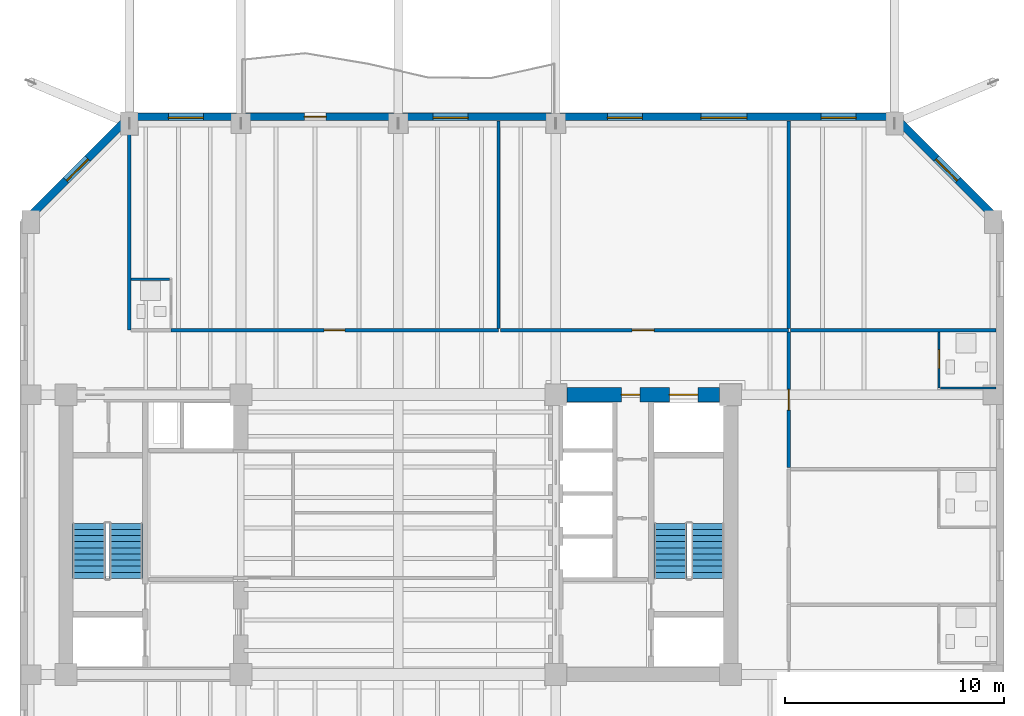
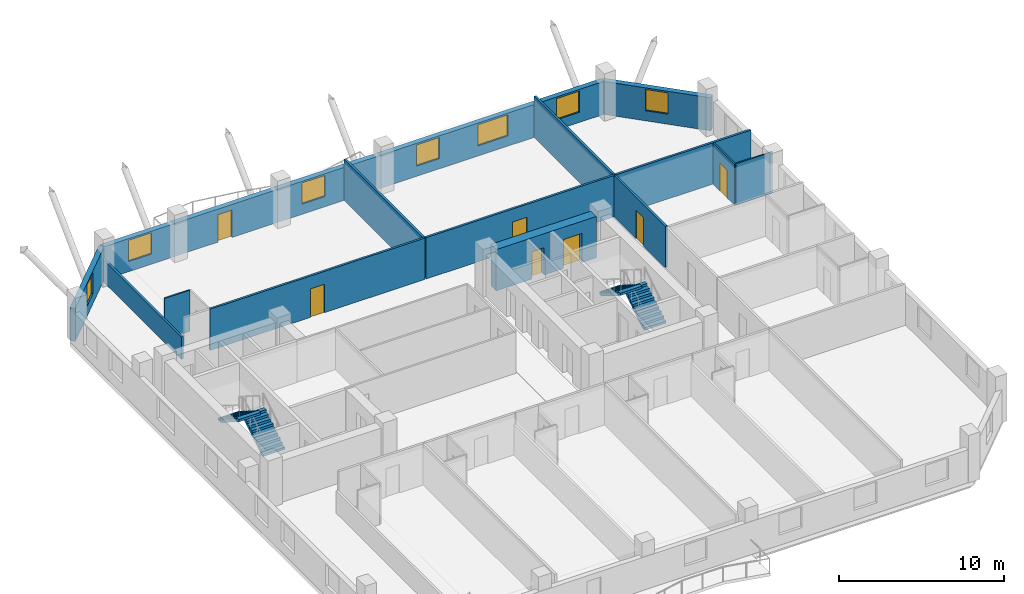
# One storey, part 8 of 12: 14 walls, 7 doors, 7 windows, 4 stair flights, 14 openings, 2 elements without a shape of their own.
"""IFC4 building model written with IfcOpenShell, lengths in metres."""

from ifc_helpers import new_model, si_unit, direction, frame, frame_2d, origin, place, context, subcontext, project, spatial, polyline, rectangle, outline, extrude, material, layer, layer_set, type_object, element, fill, aggregate, save


model = new_model("IFC4")

# Units and contexts
model_context = context("Model", 3, precision=1e-05, world=origin(), true_north=direction((0.0, 1.0)))
body_context = subcontext(model_context, "Body", "Model", "MODEL_VIEW")
ifc_project = project(units=[si_unit("LENGTHUNIT", "METRE"), si_unit("AREAUNIT", "SQUARE_METRE"), si_unit("VOLUMEUNIT", "CUBIC_METRE"), si_unit("PLANEANGLEUNIT", "RADIAN"), si_unit("MASSUNIT", "GRAM", prefix="KILO")], contexts=[model_context])

# Site, building, storey
site_placement = place(None, origin())
site = spatial("IfcSite", under=ifc_project, at=site_placement, CompositionType="ELEMENT")
building_placement = place(site_placement, origin())
building = spatial("IfcBuilding", under=site, at=building_placement, Name="Kranthara Brick Stack", CompositionType="ELEMENT")
storey_placement = place(building_placement, frame((0.0, 0.0, 158.800048828125)))
storey = spatial("IfcBuildingStorey", under=building, at=storey_placement, Name="L40", CompositionType="ELEMENT", Elevation=158.800048828125)

# Wall, opening, window
ifc_material_1 = material(Name="Kiln-fired clay brick masonry M15", Category="masonry")
ifc_layer_1 = layer(ifc_material_1, 0.35009765625)
ifc_layer_set_1 = layer_set([ifc_layer_1], Name="Kiln-fired clay brick masonry M15")
wall_type_1 = type_object("IfcWallType", Name="WL-BRK-SPND-350", PredefinedType="STANDARD", material=ifc_layer_set_1)
wall_1_placement = place(storey_placement, frame((10.89501953125, 41.5, 0.0), z_axis=(0.0, 0.0, 1.0), x_axis=(0.707106781187, 0.707106781187, 0.0)))
wall_1 = element("IfcWall", 1, at=wall_1_placement, inside=storey, type_object=wall_type_1, Name="L40 Exterior Brick Facade Wall NW 1", PredefinedType="STANDARD", context=body_context, shape_type="SweptSolid", body=[
    extrude(rectangle(XDim=6.795166015625, YDim=0.35009765625, at=frame_2d((3.3974609375, 0.0))), origin(), (0.0, 0.0, 1.0), 2.43505859375),
])
opening_1_placement = place(wall_1_placement, frame((2.697998046875, 0.0, 0.75)))
opening_1 = element("IfcOpeningElement", 2, at=opening_1_placement, cuts=wall_1, Name="Opening WN10", PredefinedType="OPENING", context=body_context, shape_type="SweptSolid", body=[
    extrude(rectangle(XDim=1.39990234375, YDim=1.56494140625, at=frame_2d((0.699951171875, 0.782470703125))), frame((0.0, 0.18505859375, 0.0), z_axis=(0.0, -1.0, 0.0), x_axis=(1.0, 0.0, 0.0)), (0.0, 0.0, 1.0), 0.3701171875),
])
ifc_material_2 = material(Name="Double-glazed low-E solar control glass", Category="glass")
window_type_1 = type_object("IfcWindowType", Name="WN-CHM-1400x1750", PartitioningType="SINGLE_PANEL", PredefinedType="WINDOW", material=ifc_material_2)
window_1_placement = place(opening_1_placement, origin())
window_1 = element("IfcWindow", 3, at=window_1_placement, inside=storey, type_object=window_type_1, Name="L40 NW Chamfer Corner Window", OverallHeight=1.56494140625, OverallWidth=1.39990234375, PartitioningType="SINGLE_PANEL", PredefinedType="WINDOW", context=body_context, shape_type="SweptSolid", body=[
    extrude(rectangle(XDim=1.39990234375, YDim=1.56494140625, at=frame_2d((0.699951171875, 0.782470703125))), frame((0.0, -0.010009765625, 0.0), z_axis=(0.0, -1.0, 0.0), x_axis=(1.0, 0.0, 0.0)), (0.0, 0.0, 1.0), 0.06005859375),
])
fill(opening_1, window_1)

# Wall, openings, door, windows
wall_2_placement = place(storey_placement, frame((15.699951171875, 46.304931640625, 0.0), z_axis=(0.0, 0.0, 1.0), x_axis=(1.0, 0.0, 0.0)))
wall_2 = element("IfcWall", 4, at=wall_2_placement, inside=storey, type_object=wall_type_1, Name="L40 Exterior Brick Facade Wall NORTH 1", PredefinedType="STANDARD", context=body_context, shape_type="SweptSolid", body=[
    extrude(rectangle(XDim=35.0, YDim=0.35009765625, at=frame_2d((17.5, 0.0))), origin(), (0.0, 0.0, 1.0), 2.43505859375),
])
opening_2_placement = place(wall_2_placement, frame((8.0, 0.0, 0.0)))
opening_2 = element("IfcOpeningElement", 5, at=opening_2_placement, cuts=wall_2, Name="Opening D03", PredefinedType="OPENING", context=body_context, shape_type="SweptSolid", body=[
    extrude(rectangle(XDim=1.0, YDim=2.02001953125, at=frame_2d((0.5, 1.010009765625))), frame((0.0, 0.18505859375, 0.0), z_axis=(0.0, -1.0, 0.0), x_axis=(1.0, 0.0, 0.0)), (0.0, 0.0, 1.0), 0.3701171875),
])
opening_3_placement = place(wall_2_placement, frame((1.7880859375, 0.0, 0.75)))
opening_3 = element("IfcOpeningElement", 6, at=opening_3_placement, cuts=wall_2, Name="Opening WN04", PredefinedType="OPENING", context=body_context, shape_type="SweptSolid", body=[
    extrude(rectangle(XDim=1.60009765625, YDim=1.56494140625, at=frame_2d((0.800048828125, 0.782470703125))), frame((0.0, 0.18505859375, 0.0), z_axis=(0.0, -1.0, 0.0), x_axis=(1.0, 0.0, 0.0)), (0.0, 0.0, 1.0), 0.3701171875),
])
opening_4_placement = place(wall_2_placement, frame((13.89208984375, 0.0, 0.75)))
opening_4 = element("IfcOpeningElement", 7, at=opening_4_placement, cuts=wall_2, Name="Opening WN04", PredefinedType="OPENING", context=body_context, shape_type="SweptSolid", body=[
    extrude(rectangle(XDim=1.60009765625, YDim=1.56494140625, at=frame_2d((0.800048828125, 0.782470703125))), frame((0.0, 0.18505859375, 0.0), z_axis=(0.0, -1.0, 0.0), x_axis=(1.0, 0.0, 0.0)), (0.0, 0.0, 1.0), 0.3701171875),
])
opening_5_placement = place(wall_2_placement, frame((21.85693359375, 0.0, 0.75)))
opening_5 = element("IfcOpeningElement", 8, at=opening_5_placement, cuts=wall_2, Name="Opening WN04", PredefinedType="OPENING", context=body_context, shape_type="SweptSolid", body=[
    extrude(rectangle(XDim=1.60009765625, YDim=1.56494140625, at=frame_2d((0.800048828125, 0.782470703125))), frame((0.0, 0.18505859375, 0.0), z_axis=(0.0, -1.0, 0.0), x_axis=(1.0, 0.0, 0.0)), (0.0, 0.0, 1.0), 0.3701171875),
])
opening_6_placement = place(wall_2_placement, frame((26.14306640625, 0.0, 0.75)))
opening_6 = element("IfcOpeningElement", 9, at=opening_6_placement, cuts=wall_2, Name="Opening WN05", PredefinedType="OPENING", context=body_context, shape_type="SweptSolid", body=[
    extrude(rectangle(XDim=2.10009765625, YDim=1.56494140625, at=frame_2d((1.050048828125, 0.782470703125))), frame((0.0, 0.18505859375, 0.0), z_axis=(0.0, -1.0, 0.0), x_axis=(1.0, 0.0, 0.0)), (0.0, 0.0, 1.0), 0.3701171875),
])
opening_7_placement = place(wall_2_placement, frame((31.636962890625, 0.0, 0.75)))
opening_7 = element("IfcOpeningElement", 10, at=opening_7_placement, cuts=wall_2, Name="Opening WN04", PredefinedType="OPENING", context=body_context, shape_type="SweptSolid", body=[
    extrude(rectangle(XDim=1.60009765625, YDim=1.56494140625, at=frame_2d((0.800048828125, 0.782470703125))), frame((0.0, 0.18505859375, 0.0), z_axis=(0.0, -1.0, 0.0), x_axis=(1.0, 0.0, 0.0)), (0.0, 0.0, 1.0), 0.3701171875),
])
ifc_material_3 = material(Name="Bronze anodised aluminium and laminated glass", Category="aluminium")
door_type_1 = type_object("IfcDoorType", Name="DR-BALC-1000", OperationType="NOTDEFINED", PredefinedType="DOOR", material=ifc_material_3)
door_1_placement = place(opening_2_placement, origin())
door_1 = element("IfcDoor", 11, at=door_1_placement, inside=storey, type_object=door_type_1, Name="L40 North Balcony Terrace Door", OperationType="SINGLE_SWING_RIGHT", OverallHeight=2.02001953125, OverallWidth=1.0, PredefinedType="DOOR", context=body_context, shape_type="SweptSolid", body=[
    extrude(rectangle(XDim=1.0, YDim=2.02001953125, at=frame_2d((0.5, 1.010009765625))), frame((0.0, 0.02490234375, 0.0), z_axis=(0.0, -1.0, 0.0), x_axis=(1.0, 0.0, 0.0)), (0.0, 0.0, 1.0), 0.050048828125),
])
fill(opening_2, door_1)
ifc_material_4 = material(Name="Double-glazed low-E solar control glass", Category="glass")
window_type_2 = type_object("IfcWindowType", Name="WN-HTL-1600x1850", PartitioningType="DOUBLE_PANEL_VERTICAL", PredefinedType="WINDOW", material=ifc_material_4)
window_2_placement = place(opening_3_placement, origin())
window_2 = element("IfcWindow", 12, at=window_2_placement, inside=storey, type_object=window_type_2, Name="L40 North Deep-Set Brick Window 01", OverallHeight=1.56494140625, OverallWidth=1.60009765625, PartitioningType="SINGLE_PANEL", PredefinedType="WINDOW", context=body_context, shape_type="SweptSolid", body=[
    extrude(rectangle(XDim=1.60009765625, YDim=1.56494140625, at=frame_2d((0.800048828125, 0.782470703125))), frame((0.0, -0.010009765625, 0.0), z_axis=(0.0, -1.0, 0.0), x_axis=(1.0, 0.0, 0.0)), (0.0, 0.0, 1.0), 0.06005859375),
])
fill(opening_3, window_2)
window_3_placement = place(opening_4_placement, origin())
window_3 = element("IfcWindow", 13, at=window_3_placement, inside=storey, type_object=window_type_2, Name="L40 North Deep-Set Brick Window 02", OverallHeight=1.56494140625, OverallWidth=1.60009765625, PartitioningType="SINGLE_PANEL", PredefinedType="WINDOW", context=body_context, shape_type="SweptSolid", body=[
    extrude(rectangle(XDim=1.60009765625, YDim=1.56494140625, at=frame_2d((0.800048828125, 0.782470703125))), frame((0.0, -0.010009765625, 0.0), z_axis=(0.0, -1.0, 0.0), x_axis=(1.0, 0.0, 0.0)), (0.0, 0.0, 1.0), 0.06005859375),
])
fill(opening_4, window_3)
window_4_placement = place(opening_5_placement, origin())
window_4 = element("IfcWindow", 14, at=window_4_placement, inside=storey, type_object=window_type_2, Name="L40 North Deep-Set Brick Window 03", OverallHeight=1.56494140625, OverallWidth=1.60009765625, PartitioningType="SINGLE_PANEL", PredefinedType="WINDOW", context=body_context, shape_type="SweptSolid", body=[
    extrude(rectangle(XDim=1.60009765625, YDim=1.56494140625, at=frame_2d((0.800048828125, 0.782470703125))), frame((0.0, -0.010009765625, 0.0), z_axis=(0.0, -1.0, 0.0), x_axis=(1.0, 0.0, 0.0)), (0.0, 0.0, 1.0), 0.06005859375),
])
fill(opening_5, window_4)
window_5_placement = place(opening_7_placement, origin())
window_5 = element("IfcWindow", 15, at=window_5_placement, inside=storey, type_object=window_type_2, Name="L40 North Deep-Set Brick Window 05", OverallHeight=1.56494140625, OverallWidth=1.60009765625, PartitioningType="SINGLE_PANEL", PredefinedType="WINDOW", context=body_context, shape_type="SweptSolid", body=[
    extrude(rectangle(XDim=1.60009765625, YDim=1.56494140625, at=frame_2d((0.800048828125, 0.782470703125))), frame((0.0, -0.010009765625, 0.0), z_axis=(0.0, -1.0, 0.0), x_axis=(1.0, 0.0, 0.0)), (0.0, 0.0, 1.0), 0.06005859375),
])
fill(opening_7, window_5)
ifc_material_5 = material(Name="Double-glazed low-E solar control glass", Category="glass")
window_type_3 = type_object("IfcWindowType", Name="WN-HTL-2100x1850", PartitioningType="DOUBLE_PANEL_VERTICAL", PredefinedType="WINDOW", material=ifc_material_5)
window_6_placement = place(opening_6_placement, origin())
window_6 = element("IfcWindow", 16, at=window_6_placement, inside=storey, type_object=window_type_3, Name="L40 North Deep-Set Brick Window 04", OverallHeight=1.56494140625, OverallWidth=2.10009765625, PartitioningType="SINGLE_PANEL", PredefinedType="WINDOW", context=body_context, shape_type="SweptSolid", body=[
    extrude(rectangle(XDim=2.10009765625, YDim=1.56494140625, at=frame_2d((1.050048828125, 0.782470703125))), frame((0.0, -0.010009765625, 0.0), z_axis=(0.0, -1.0, 0.0), x_axis=(1.0, 0.0, 0.0)), (0.0, 0.0, 1.0), 0.06005859375),
])
fill(opening_6, window_6)

# Wall, opening, window
wall_3_placement = place(storey_placement, frame((50.699951171875, 46.304931640625, 0.0), z_axis=(0.0, 0.0, 1.0), x_axis=(0.707106781187, -0.707106781187, 0.0)))
wall_3 = element("IfcWall", 17, at=wall_3_placement, inside=storey, type_object=wall_type_1, Name="L40 Exterior Brick Facade Wall NE 1", PredefinedType="STANDARD", context=body_context, shape_type="SweptSolid", body=[
    extrude(rectangle(XDim=6.795166015625, YDim=0.35009765625, at=frame_2d((3.3974609375, 0.0))), origin(), (0.0, 0.0, 1.0), 2.43505859375),
])
opening_8_placement = place(wall_3_placement, frame((2.697998046875, 0.0, 0.75)))
opening_8 = element("IfcOpeningElement", 18, at=opening_8_placement, cuts=wall_3, Name="Opening WN10", PredefinedType="OPENING", context=body_context, shape_type="SweptSolid", body=[
    extrude(rectangle(XDim=1.39990234375, YDim=1.56494140625, at=frame_2d((0.699951171875, 0.782470703125))), frame((0.0, 0.18505859375, 0.0), z_axis=(0.0, -1.0, 0.0), x_axis=(1.0, 0.0, 0.0)), (0.0, 0.0, 1.0), 0.3701171875),
])
window_7_placement = place(opening_8_placement, origin())
window_7 = element("IfcWindow", 19, at=window_7_placement, inside=storey, type_object=window_type_1, Name="L40 NE Chamfer Corner Window", OverallHeight=1.56494140625, OverallWidth=1.39990234375, PartitioningType="SINGLE_PANEL", PredefinedType="WINDOW", context=body_context, shape_type="SweptSolid", body=[
    extrude(rectangle(XDim=1.39990234375, YDim=1.56494140625, at=frame_2d((0.699951171875, 0.782470703125))), frame((0.0, -0.010009765625, 0.0), z_axis=(0.0, -1.0, 0.0), x_axis=(1.0, 0.0, 0.0)), (0.0, 0.0, 1.0), 0.06005859375),
])
fill(opening_8, window_7)

# Wall, openings, doors
ifc_material_6 = material(Name="Concrete C60/75", Category="concrete")
ifc_layer_2 = layer(ifc_material_6, 0.64990234375)
ifc_layer_set_2 = layer_set([ifc_layer_2], Name="Concrete C60/75")
wall_type_2 = type_object("IfcWallType", Name="WL-CORE-650", PredefinedType="SHEAR", material=ifc_layer_set_2)
wall_4_placement = place(storey_placement, frame((35.705078125, 33.60009765625, 0.0), z_axis=(0.0, 0.0, 1.0), x_axis=(1.0, 0.0, 0.0)))
wall_4 = element("IfcWall", 20, at=wall_4_placement, inside=storey, type_object=wall_type_2, Name="L40 East Core Shear Wall North", PredefinedType="SHEAR", context=body_context, shape_type="SweptSolid", body=[
    extrude(rectangle(XDim=6.989990234375, YDim=0.64990234375, at=frame_2d((3.4951171875, 0.0))), origin(), (0.0, 0.0, 1.0), 3.050048828125),
])
opening_9_placement = place(wall_4_placement, frame((4.695068359375, 0.0, 0.0)))
opening_9 = element("IfcOpeningElement", 21, at=opening_9_placement, cuts=wall_4, Name="Opening LD03", PredefinedType="OPENING", context=body_context, shape_type="SweptSolid", body=[
    extrude(rectangle(XDim=1.300048828125, YDim=2.14990234375, at=frame_2d((0.64990234375, 1.074951171875))), frame((0.0, 0.3349609375, 0.0), z_axis=(0.0, -1.0, 0.0), x_axis=(1.0, 0.0, 0.0)), (0.0, 0.0, 1.0), 0.669921875),
])
opening_10_placement = place(wall_4_placement, frame((2.4951171875, 0.0, 0.0)))
opening_10 = element("IfcOpeningElement", 22, at=opening_10_placement, cuts=wall_4, Name="Opening D10", PredefinedType="OPENING", context=body_context, shape_type="SweptSolid", body=[
    extrude(rectangle(XDim=0.85009765625, YDim=2.02001953125, at=frame_2d((0.425048828125, 1.010009765625))), frame((0.0, 0.3349609375, 0.0), z_axis=(0.0, -1.0, 0.0), x_axis=(1.0, 0.0, 0.0)), (0.0, 0.0, 1.0), 0.669921875),
])
ifc_material_7 = material(Name="Stainless steel sliding landing door", Category="steel")
door_type_2 = type_object("IfcDoorType", Name="DR-LD-SV1300", OperationType="DOUBLE_DOOR_SLIDING", PredefinedType="DOOR", material=ifc_material_7)
door_2_placement = place(opening_9_placement, origin())
door_2 = element("IfcDoor", 23, at=door_2_placement, inside=storey, type_object=door_type_2, Name="L40 Stretcher Service Lift SV-01 Landing Door", OperationType="DOUBLE_DOOR_SLIDING", OverallHeight=2.14990234375, OverallWidth=1.300048828125, PredefinedType="DOOR", context=body_context, shape_type="SweptSolid", body=[
    extrude(rectangle(XDim=1.300048828125, YDim=2.14990234375, at=frame_2d((0.64990234375, 1.074951171875))), frame((0.0, 0.02490234375, 0.0), z_axis=(0.0, -1.0, 0.0), x_axis=(1.0, 0.0, 0.0)), (0.0, 0.0, 1.0), 0.050048828125),
])
fill(opening_9, door_2)
ifc_material_8 = material(Name="Solid-core hardwood timber leaf in steel frame", Category="steel")
door_type_3 = type_object("IfcDoorType", Name="DR-RSR-850", OperationType="NOTDEFINED", PredefinedType="DOOR", material=ifc_material_8)
door_3_placement = place(opening_10_placement, origin())
door_3 = element("IfcDoor", 24, at=door_3_placement, inside=storey, type_object=door_type_3, Name="L40 East Core Service Room Door", OperationType="SINGLE_SWING_LEFT", OverallHeight=2.02001953125, OverallWidth=0.85009765625, PredefinedType="DOOR", context=body_context, shape_type="SweptSolid", body=[
    extrude(rectangle(XDim=0.85009765625, YDim=2.02001953125, at=frame_2d((0.425048828125, 1.010009765625))), frame((0.0, 0.02490234375, 0.0), z_axis=(0.0, -1.0, 0.0), x_axis=(1.0, 0.0, 0.0)), (0.0, 0.0, 1.0), 0.050048828125),
])
fill(opening_10, door_3)

# Wall
ifc_material_9 = material(Name="Moisture-resistant wet-room partition", Category="other")
ifc_layer_3 = layer(ifc_material_9, 0.10009765625)
ifc_layer_set_3 = layer_set([ifc_layer_3], Name="Moisture-resistant wet-room partition")
wall_type_3 = type_object("IfcWallType", Name="WL-PART-100", PredefinedType="PARTITIONING", material=ifc_layer_set_3)
wall_5_placement = place(storey_placement, frame((15.780029296875, 38.8798828125, 0.0), z_axis=(0.0, 0.0, 1.0), x_axis=(1.0, 0.0, 0.0)))
element("IfcWall", 25, at=wall_5_placement, inside=storey, type_object=wall_type_3, Name="L40 Interior Partition 039", PredefinedType="PARTITIONING", context=body_context, shape_type="SweptSolid", body=[
    extrude(rectangle(XDim=1.764892578125, YDim=0.10009765625, at=frame_2d((0.88232421875, 0.0))), origin(), (0.0, 0.0, 1.0), 3.050048828125),
])

# Wall, opening, door
wall_6_placement = place(storey_placement, frame((52.72998046875, 33.89990234375, 0.0), z_axis=(0.0, 0.0, 1.0), x_axis=(0.0, 1.0, 0.0)))
wall_6 = element("IfcWall", 26, at=wall_6_placement, inside=storey, type_object=wall_type_3, Name="L40 Interior Partition 054", PredefinedType="PARTITIONING", context=body_context, shape_type="SweptSolid", body=[
    extrude(rectangle(XDim=2.570068359375, YDim=0.10009765625, at=frame_2d((1.28515625, 0.0))), origin(), (0.0, 0.0, 1.0), 3.050048828125),
])
opening_11_placement = place(wall_6_placement, frame((0.905029296875, 0.0, 0.0)))
opening_11 = element("IfcOpeningElement", 27, at=opening_11_placement, cuts=wall_6, Name="Opening D17", PredefinedType="OPENING", context=body_context, shape_type="SweptSolid", body=[
    extrude(rectangle(XDim=0.85009765625, YDim=2.050048828125, at=frame_2d((0.425048828125, 1.02490234375))), frame((0.0, 0.06005859375, 0.0), z_axis=(0.0, -1.0, 0.0), x_axis=(1.0, 0.0, 0.0)), (0.0, 0.0, 1.0), 0.1201171875),
])
ifc_material_10 = material(Name="Solid-core hardwood timber leaf in steel frame", Category="steel")
door_type_4 = type_object("IfcDoorType", Name="DR-WET-850", OperationType="NOTDEFINED", PredefinedType="DOOR", material=ifc_material_10)
door_4_placement = place(opening_11_placement, origin())
door_4 = element("IfcDoor", 28, at=door_4_placement, inside=storey, type_object=door_type_4, Name="L40 East Key 10 Bath 24", OperationType="SINGLE_SWING_RIGHT", OverallHeight=2.050048828125, OverallWidth=0.85009765625, PredefinedType="DOOR", context=body_context, shape_type="SweptSolid", body=[
    extrude(rectangle(XDim=0.85009765625, YDim=2.050048828125, at=frame_2d((0.425048828125, 1.02490234375))), frame((0.0, 0.02490234375, 0.0), z_axis=(0.0, -1.0, 0.0), x_axis=(1.0, 0.0, 0.0)), (0.0, 0.0, 1.0), 0.050048828125),
])
fill(opening_11, door_4)

# Walls
wall_7_placement = place(storey_placement, frame((52.784912109375, 33.89990234375, 0.0), z_axis=(0.0, 0.0, 1.0), x_axis=(1.0, 0.0, 0.0)))
element("IfcWall", 29, at=wall_7_placement, inside=storey, type_object=wall_type_3, Name="L40 Interior Partition 055", PredefinedType="PARTITIONING", context=body_context, shape_type="SweptSolid", body=[
    extrude(rectangle(XDim=2.5400390625, YDim=0.10009765625, at=frame_2d((1.27001953125, 0.0))), origin(), (0.0, 0.0, 1.0), 3.050048828125),
])
ifc_material_11 = material(Name="Fire-rated gypsum board partition", Category="other")
ifc_layer_4 = layer(ifc_material_11, 0.14990234375)
ifc_layer_set_4 = layer_set([ifc_layer_4], Name="Fire-rated gypsum board partition")
wall_type_4 = type_object("IfcWallType", Name="WL-PART-150", PredefinedType="PARTITIONING", material=ifc_layer_set_4)
wall_8_placement = place(storey_placement, frame((15.699951171875, 36.550048828125, 0.0), z_axis=(0.0, 0.0, 1.0), x_axis=(0.0, 1.0, 0.0)))
element("IfcWall", 30, at=wall_8_placement, inside=storey, type_object=wall_type_4, Name="L40 Interior Partition 035", PredefinedType="PARTITIONING", context=body_context, shape_type="SweptSolid", body=[
    extrude(rectangle(XDim=9.574951171875, YDim=0.14990234375, at=frame_2d((4.78759765625, 0.0))), origin(), (0.0, 0.0, 1.0), 1.635009765625),
])

# Wall, opening, door
wall_9_placement = place(storey_placement, frame((17.60009765625, 36.550048828125, 0.0), z_axis=(0.0, 0.0, 1.0), x_axis=(1.0, 0.0, 0.0)))
wall_9 = element("IfcWall", 31, at=wall_9_placement, inside=storey, type_object=wall_type_4, Name="L40 Interior Partition 037", PredefinedType="PARTITIONING", context=body_context, shape_type="SweptSolid", body=[
    extrude(rectangle(XDim=14.98388671875, YDim=0.14990234375, at=frame_2d((7.491943359375, 0.0))), origin(), (0.0, 0.0, 1.0), 3.050048828125),
])
opening_12_placement = place(wall_9_placement, frame((7.011962890625, 0.0, 0.0)))
opening_12 = element("IfcOpeningElement", 32, at=opening_12_placement, cuts=wall_9, Name="Opening D09", PredefinedType="OPENING", context=body_context, shape_type="SweptSolid", body=[
    extrude(rectangle(XDim=0.949951171875, YDim=2.10009765625, at=frame_2d((0.47509765625, 1.050048828125))), frame((0.0, 0.0849609375, 0.0), z_axis=(0.0, -1.0, 0.0), x_axis=(1.0, 0.0, 0.0)), (0.0, 0.0, 1.0), 0.169921875),
])
ifc_material_12 = material(Name="Solid-core hardwood timber leaf in steel frame", Category="steel")
door_type_5 = type_object("IfcDoorType", Name="DR-FD-950", OperationType="NOTDEFINED", PredefinedType="DOOR", material=ifc_material_12)
door_5_placement = place(opening_12_placement, origin())
door_5 = element("IfcDoor", 33, at=door_5_placement, inside=storey, type_object=door_type_5, Name="L40 Key 06 Entry 18", OperationType="SINGLE_SWING_RIGHT", OverallHeight=2.10009765625, OverallWidth=0.949951171875, PredefinedType="DOOR", context=body_context, shape_type="SweptSolid", body=[
    extrude(rectangle(XDim=0.949951171875, YDim=2.10009765625, at=frame_2d((0.47509765625, 1.050048828125))), frame((0.0, 0.02490234375, 0.0), z_axis=(0.0, -1.0, 0.0), x_axis=(1.0, 0.0, 0.0)), (0.0, 0.0, 1.0), 0.050048828125),
])
fill(opening_12, door_5)

# Wall
wall_10_placement = place(storey_placement, frame((32.583984375, 36.6298828125, 0.0), z_axis=(0.0, 0.0, 1.0), x_axis=(0.0, 1.0, 0.0)))
element("IfcWall", 34, at=wall_10_placement, inside=storey, type_object=wall_type_4, Name="L40 Interior Partition 040", PredefinedType="PARTITIONING", context=body_context, shape_type="SweptSolid", body=[
    extrude(rectangle(XDim=9.4951171875, YDim=0.14990234375, at=frame_2d((4.74755859375, 0.0))), origin(), (0.0, 0.0, 1.0), 3.050048828125),
])

# Wall, opening, door
wall_11_placement = place(storey_placement, frame((32.6640625, 36.550048828125, 0.0), z_axis=(0.0, 0.0, 1.0), x_axis=(1.0, 0.0, 0.0)))
wall_11 = element("IfcWall", 35, at=wall_11_placement, inside=storey, type_object=wall_type_4, Name="L40 Interior Partition 041", PredefinedType="PARTITIONING", context=body_context, shape_type="SweptSolid", body=[
    extrude(rectangle(XDim=13.18603515625, YDim=0.14990234375, at=frame_2d((6.593017578125, 0.0))), origin(), (0.0, 0.0, 1.0), 3.050048828125),
])
opening_13_placement = place(wall_11_placement, frame((6.032958984375, 0.0, 0.0)))
opening_13 = element("IfcOpeningElement", 36, at=opening_13_placement, cuts=wall_11, Name="Opening D08", PredefinedType="OPENING", context=body_context, shape_type="SweptSolid", body=[
    extrude(rectangle(XDim=1.0, YDim=2.10009765625, at=frame_2d((0.5, 1.050048828125))), frame((0.0, 0.0849609375, 0.0), z_axis=(0.0, -1.0, 0.0), x_axis=(1.0, 0.0, 0.0)), (0.0, 0.0, 1.0), 0.169921875),
])
ifc_material_13 = material(Name="Solid-core hardwood timber leaf in steel frame", Category="steel")
door_type_6 = type_object("IfcDoorType", Name="DR-FD-1000", OperationType="NOTDEFINED", PredefinedType="DOOR", material=ifc_material_13)
door_6_placement = place(opening_13_placement, origin())
door_6 = element("IfcDoor", 37, at=door_6_placement, inside=storey, type_object=door_type_6, Name="L40 Guest Lounge 19", OperationType="SINGLE_SWING_LEFT", OverallHeight=2.10009765625, OverallWidth=1.0, PredefinedType="DOOR", context=body_context, shape_type="SweptSolid", body=[
    extrude(rectangle(XDim=1.0, YDim=2.10009765625, at=frame_2d((0.5, 1.050048828125))), frame((0.0, 0.02490234375, 0.0), z_axis=(0.0, -1.0, 0.0), x_axis=(1.0, 0.0, 0.0)), (0.0, 0.0, 1.0), 0.050048828125),
])
fill(opening_13, door_6)

# Walls
wall_12_placement = place(storey_placement, frame((45.85009765625, 36.6298828125, 0.0), z_axis=(0.0, 0.0, 1.0), x_axis=(0.0, 1.0, 0.0)))
element("IfcWall", 38, at=wall_12_placement, inside=storey, type_object=wall_type_4, Name="L40 Interior Partition 042", PredefinedType="PARTITIONING", context=body_context, shape_type="SweptSolid", body=[
    extrude(rectangle(XDim=9.4951171875, YDim=0.14990234375, at=frame_2d((4.74755859375, 0.0))), origin(), (0.0, 0.0, 1.0), 3.050048828125),
])
wall_13_placement = place(storey_placement, frame((45.929931640625, 36.550048828125, 0.0), z_axis=(0.0, 0.0, 1.0), x_axis=(1.0, 0.0, 0.0)))
element("IfcWall", 39, at=wall_13_placement, inside=storey, type_object=wall_type_4, Name="L40 Interior Partition 044", PredefinedType="PARTITIONING", context=body_context, shape_type="SweptSolid", body=[
    extrude(rectangle(XDim=9.39501953125, YDim=0.14990234375, at=frame_2d((4.697509765625, 0.0))), origin(), (0.0, 0.0, 1.0), 3.050048828125),
])

# Wall, opening, door
wall_14_placement = place(storey_placement, frame((45.85009765625, 30.280029296875, 0.0), z_axis=(0.0, 0.0, 1.0), x_axis=(0.0, 1.0, 0.0)))
wall_14 = element("IfcWall", 40, at=wall_14_placement, inside=storey, type_object=wall_type_4, Name="L40 Interior Partition 053", PredefinedType="PARTITIONING", context=body_context, shape_type="SweptSolid", body=[
    extrude(rectangle(XDim=6.18994140625, YDim=0.14990234375, at=frame_2d((3.094970703125, 0.0))), origin(), (0.0, 0.0, 1.0), 3.050048828125),
])
opening_14_placement = place(wall_14_placement, frame((2.614990234375, 0.0, 0.0)))
opening_14 = element("IfcOpeningElement", 41, at=opening_14_placement, cuts=wall_14, Name="Opening D09", PredefinedType="OPENING", context=body_context, shape_type="SweptSolid", body=[
    extrude(rectangle(XDim=0.949951171875, YDim=2.10009765625, at=frame_2d((0.47509765625, 1.050048828125))), frame((0.0, 0.0849609375, 0.0), z_axis=(0.0, -1.0, 0.0), x_axis=(1.0, 0.0, 0.0)), (0.0, 0.0, 1.0), 0.169921875),
])
door_7_placement = place(opening_14_placement, origin())
door_7 = element("IfcDoor", 42, at=door_7_placement, inside=storey, type_object=door_type_5, Name="L40 East Key 10 25", OperationType="SINGLE_SWING_LEFT", OverallHeight=2.10009765625, OverallWidth=0.949951171875, PredefinedType="DOOR", context=body_context, shape_type="SweptSolid", body=[
    extrude(rectangle(XDim=0.949951171875, YDim=2.10009765625, at=frame_2d((0.47509765625, 1.050048828125))), frame((0.0, 0.02490234375, 0.0), z_axis=(0.0, -1.0, 0.0), x_axis=(1.0, 0.0, 0.0)), (0.0, 0.0, 1.0), 0.050048828125),
])
fill(opening_14, door_7)

# Stair, stair flights
ifc_material_14 = material(Name="Concrete C45/55", Category="concrete")
stair_type = type_object("IfcStairType", Name="ST-CORE-20R", PredefinedType="HALF_TURN_STAIR", material=ifc_material_14)
stair_1_placement = place(storey_placement, origin())
stair_1 = element("IfcStair", 43, at=stair_1_placement, inside=storey, type_object=stair_type, Name="L40 West Core Protected Exit Stair ST01", PredefinedType="HALF_TURN_STAIR")
ifc_material_15 = material(Name="Concrete C45/55", Category="concrete")
stair_flight_type = type_object("IfcStairFlightType", Name="SFL-RC-20R", PredefinedType="STRAIGHT", material=ifc_material_15)
stair_flight_1_placement = place(storey_placement, frame((15.550048828125, 25.199951171875, 0.0), z_axis=(0.0, 0.0, 1.0), x_axis=(0.0, 1.0, 0.0)))
stair_flight_1 = element("IfcStairFlight", 44, at=stair_flight_1_placement, type_object=stair_flight_type, Name="ST01 flight 1", NumberOfRisers=10, NumberOfTreads=9, PredefinedType="STRAIGHT", RiserHeight=0.175, TreadLength=0.28, context=body_context, shape_type="SweptSolid", body=[
    extrude(outline(polyline([(0.0, 0.0), (0.0, 0.175048828125), (0.280029296875, 0.175048828125), (0.280029296875, 0.35009765625), (0.56005859375, 0.35009765625), (0.56005859375, 0.52490234375), (0.840087890625, 0.52490234375), (0.840087890625, 0.699951171875), (1.1201171875, 0.699951171875), (1.1201171875, 0.875), (1.39990234375, 0.875), (1.39990234375, 1.050048828125), (1.679931640625, 1.050048828125), (1.679931640625, 1.22509765625), (1.9599609375, 1.22509765625), (1.9599609375, 1.39990234375), (2.239990234375, 1.39990234375), (2.239990234375, 1.574951171875), (2.52001953125, 1.574951171875), (2.52001953125, 1.75), (2.52001953125, 1.398193359375), (0.28271484375, 0.0), (0.0, 0.0)])), frame((0.0, 0.75, 0.0), z_axis=(0.0, -1.0, 0.0), x_axis=(1.0, 0.0, 0.0)), (0.0, 0.0, 1.0), 1.5),
])
stair_flight_2_placement = place(storey_placement, frame((13.85009765625, 27.719970703125, 1.75), z_axis=(0.0, 0.0, 1.0), x_axis=(0.0, -1.0, 0.0)))
stair_flight_2 = element("IfcStairFlight", 45, at=stair_flight_2_placement, type_object=stair_flight_type, Name="ST01 flight 2", NumberOfRisers=10, NumberOfTreads=9, PredefinedType="STRAIGHT", RiserHeight=0.175, TreadLength=0.28, context=body_context, shape_type="SweptSolid", body=[
    extrude(outline(polyline([(0.0, 0.0), (0.0, 0.175048828125), (0.280029296875, 0.175048828125), (0.280029296875, 0.35009765625), (0.56005859375, 0.35009765625), (0.56005859375, 0.52490234375), (0.840087890625, 0.52490234375), (0.840087890625, 0.699951171875), (1.1201171875, 0.699951171875), (1.1201171875, 0.875), (1.39990234375, 0.875), (1.39990234375, 1.050048828125), (1.679931640625, 1.050048828125), (1.679931640625, 1.22509765625), (1.9599609375, 1.22509765625), (1.9599609375, 1.39990234375), (2.239990234375, 1.39990234375), (2.239990234375, 1.574951171875), (2.52001953125, 1.574951171875), (2.52001953125, 1.75), (2.52001953125, 1.398193359375), (0.28271484375, 0.0), (0.0, 0.0)])), frame((0.0, 0.75, 0.0), z_axis=(0.0, -1.0, 0.0), x_axis=(1.0, 0.0, 0.0)), (0.0, 0.0, 1.0), 1.5),
])
aggregate(stair_1, [stair_flight_1, stair_flight_2])

stair_2_placement = place(storey_placement, origin())
stair_2 = element("IfcStair", 46, at=stair_2_placement, inside=storey, type_object=stair_type, Name="L40 East Core Protected Exit Stair ST02", PredefinedType="HALF_TURN_STAIR")
stair_flight_3_placement = place(storey_placement, frame((42.14990234375, 25.199951171875, 0.0), z_axis=(0.0, 0.0, 1.0), x_axis=(0.0, 1.0, 0.0)))
stair_flight_3 = element("IfcStairFlight", 47, at=stair_flight_3_placement, type_object=stair_flight_type, Name="ST02 flight 1", NumberOfRisers=10, NumberOfTreads=9, PredefinedType="STRAIGHT", RiserHeight=0.175, TreadLength=0.28, context=body_context, shape_type="SweptSolid", body=[
    extrude(outline(polyline([(0.0, 0.0), (0.0, 0.175048828125), (0.280029296875, 0.175048828125), (0.280029296875, 0.35009765625), (0.56005859375, 0.35009765625), (0.56005859375, 0.52490234375), (0.840087890625, 0.52490234375), (0.840087890625, 0.699951171875), (1.1201171875, 0.699951171875), (1.1201171875, 0.875), (1.39990234375, 0.875), (1.39990234375, 1.050048828125), (1.679931640625, 1.050048828125), (1.679931640625, 1.22509765625), (1.9599609375, 1.22509765625), (1.9599609375, 1.39990234375), (2.239990234375, 1.39990234375), (2.239990234375, 1.574951171875), (2.52001953125, 1.574951171875), (2.52001953125, 1.75), (2.52001953125, 1.398193359375), (0.28271484375, 0.0), (0.0, 0.0)])), frame((0.0, 0.75, 0.0), z_axis=(0.0, -1.0, 0.0), x_axis=(1.0, 0.0, 0.0)), (0.0, 0.0, 1.0), 1.5),
])
stair_flight_4_placement = place(storey_placement, frame((40.449951171875, 27.719970703125, 1.75), z_axis=(0.0, 0.0, 1.0), x_axis=(0.0, -1.0, 0.0)))
stair_flight_4 = element("IfcStairFlight", 48, at=stair_flight_4_placement, type_object=stair_flight_type, Name="ST02 flight 2", NumberOfRisers=10, NumberOfTreads=9, PredefinedType="STRAIGHT", RiserHeight=0.175, TreadLength=0.28, context=body_context, shape_type="SweptSolid", body=[
    extrude(outline(polyline([(0.0, 0.0), (0.0, 0.175048828125), (0.280029296875, 0.175048828125), (0.280029296875, 0.35009765625), (0.56005859375, 0.35009765625), (0.56005859375, 0.52490234375), (0.840087890625, 0.52490234375), (0.840087890625, 0.699951171875), (1.1201171875, 0.699951171875), (1.1201171875, 0.875), (1.39990234375, 0.875), (1.39990234375, 1.050048828125), (1.679931640625, 1.050048828125), (1.679931640625, 1.22509765625), (1.9599609375, 1.22509765625), (1.9599609375, 1.39990234375), (2.239990234375, 1.39990234375), (2.239990234375, 1.574951171875), (2.52001953125, 1.574951171875), (2.52001953125, 1.75), (2.52001953125, 1.398193359375), (0.28271484375, 0.0), (0.0, 0.0)])), frame((0.0, 0.75, 0.0), z_axis=(0.0, -1.0, 0.0), x_axis=(1.0, 0.0, 0.0)), (0.0, 0.0, 1.0), 1.5),
])
aggregate(stair_2, [stair_flight_3, stair_flight_4])

save(model, "model.ifc")
